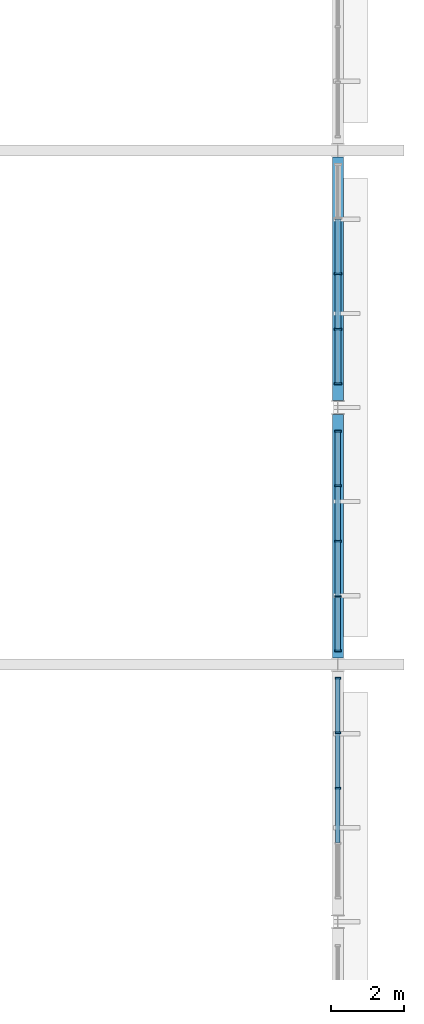
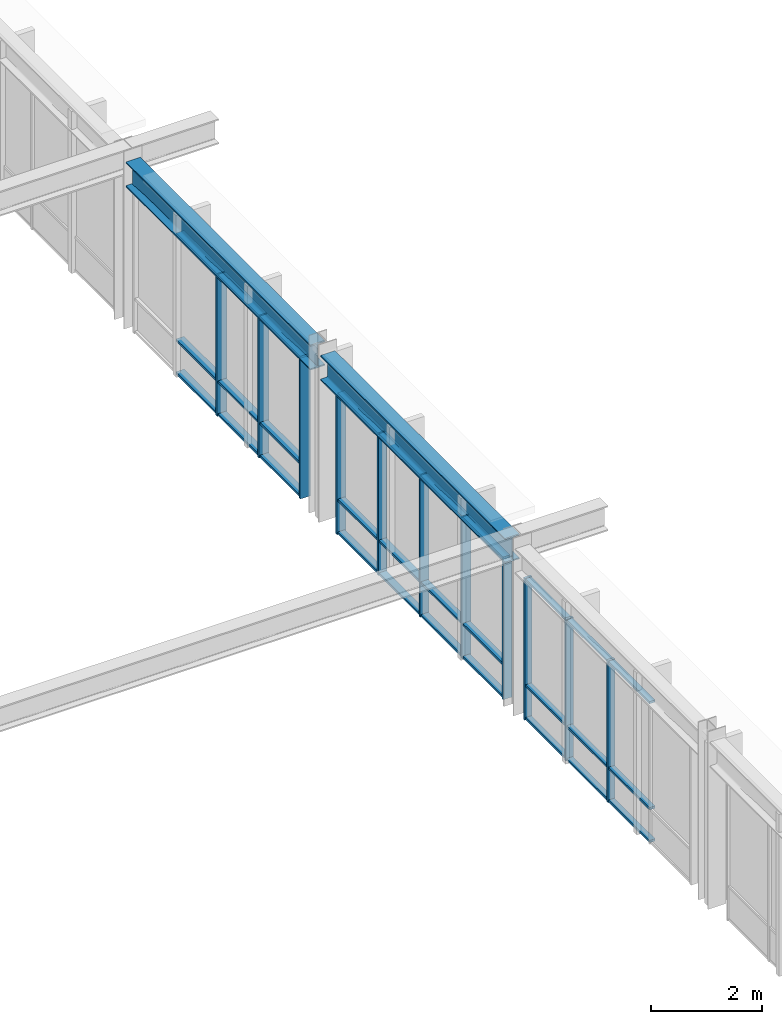
# One storey, part 37 of 98: 41 members, 2 beams, 3 elements without a shape of their own.
"""IFC4 building model written with IfcOpenShell, lengths in metres."""

from ifc_helpers import new_model, si_unit, direction, frame, origin, origin_2d, place, context, subcontext, project, spatial, rectangle, i_section, extrude, material, material_profile, profile_set, type_object, element, aggregate, save


model = new_model("IFC4")

# Units and contexts
model_context = context("Model", 3, precision=1e-05, world=origin(), true_north=direction((0.0, 1.0)))
body_context = subcontext(model_context, "Body", "Model", "MODEL_VIEW")
ifc_project = project(units=[si_unit("LENGTHUNIT", "METRE"), si_unit("AREAUNIT", "SQUARE_METRE"), si_unit("VOLUMEUNIT", "CUBIC_METRE"), si_unit("PLANEANGLEUNIT", "RADIAN"), si_unit("MASSUNIT", "GRAM", prefix="KILO")], contexts=[model_context])

# Site, building, storey
site_placement = place(None, origin())
site = spatial("IfcSite", under=ifc_project, at=site_placement, CompositionType="ELEMENT")
building_placement = place(site_placement, origin())
building = spatial("IfcBuilding", under=site, at=building_placement, Name="Larkveld Mobility Hub", CompositionType="ELEMENT")
storey_placement = place(building_placement, frame((0.0, 0.0, 4.5)))
storey = spatial("IfcBuildingStorey", under=building, at=storey_placement, Name="L01", CompositionType="ELEMENT", Elevation=4.5)

# Beams
ifc_material_1 = material(Name="Steel S355JR", Category="steel")
ifc_material_profile_1 = material_profile(ifc_material_1, i_section(OverallWidth=0.300048828125, OverallDepth=0.550048828125, WebThickness=0.014892578125, FlangeThickness=0.029052734375, FilletRadius=0.027099609375, at=origin_2d()), Name="HEB 550")
ifc_profile_set_1 = profile_set([ifc_material_profile_1], Name="Steel S355JR")
beam_type = type_object("IfcBeamType", Name="BM-STHEB550", PredefinedType="BEAM", material=ifc_profile_set_1)
for number, where, z_axis, x_axis, name in (
    (1, (184.0, 84.18408203125, 3.385009765625), (0.0, 1.0, 0.0), (-1.0, 0.0, 0.0), "Primary N-S Girder L01-0478"),
    (2, (184.0, 91.18408203125, 3.385009765625), (0.0, 1.0, 0.0), (-1.0, 0.0, 0.0), "Primary N-S Girder L01-0479"),
):
    element("IfcBeam", number, at=place(storey_placement, frame(where, z_axis=z_axis, x_axis=x_axis)), inside=storey, type_object=beam_type, Name=name, PredefinedType="BEAM", context=body_context, shape_type="SweptSolid", body=[
        extrude(i_section(OverallWidth=0.300048828125, OverallDepth=0.550048828125, WebThickness=0.014892578125, FlangeThickness=0.029052734375, FilletRadius=0.027099609375, at=origin_2d()), origin(), (0.0, 0.0, 1.0), 6.6318359375),
    ])

# Curtain wall, members
ifc_material_2 = material(Name="Anodised aluminium 6063-T6", Category="aluminium")
curtain_wall_type_1 = type_object("IfcCurtainWallType", Name="CW-SYS-09", PredefinedType="NOTDEFINED", material=ifc_material_2)
curtain_wall_1_placement = place(storey_placement, origin())
curtain_wall_1 = element("IfcCurtainWall", 3, at=curtain_wall_1_placement, inside=storey, type_object=curtain_wall_type_1, Name="Bus Hall Upper East Glazing B4 CW-057", PredefinedType="NOTDEFINED")
ifc_material_profile_2 = material_profile(ifc_material_2, rectangle(XDim=0.050048828125, YDim=0.14990234375, at=origin_2d()), Name="ALU MULL 50x150")
ifc_profile_set_2 = profile_set([ifc_material_profile_2], Name="Anodised aluminium 6063-T6")
member_type_1 = type_object("IfcMemberType", Name="CW-MUL-01", PredefinedType="MULLION", material=ifc_profile_set_2)
member_1_placement = place(storey_placement, frame((184.0, 80.637939453125, -0.001953125), z_axis=(0.0, 0.0, 1.0), x_axis=(0.0, 1.0, 0.0)))
member_1 = element("IfcMember", 4, at=member_1_placement, type_object=member_type_1, Name="CW09 mullion 3", PredefinedType="MULLION", context=body_context, shape_type="SweptSolid", body=[
    extrude(rectangle(XDim=0.050048828125, YDim=0.14990234375, at=origin_2d()), origin(), (0.0, 0.0, 1.0), 3.112060546875),
])
member_2_placement = place(storey_placement, frame((184.0, 82.14404296875, -0.001953125), z_axis=(0.0, 0.0, 1.0), x_axis=(0.0, 1.0, 0.0)))
member_2 = element("IfcMember", 5, at=member_2_placement, type_object=member_type_1, Name="CW09 mullion 4", PredefinedType="MULLION", context=body_context, shape_type="SweptSolid", body=[
    extrude(rectangle(XDim=0.050048828125, YDim=0.14990234375, at=origin_2d()), origin(), (0.0, 0.0, 1.0), 3.112060546875),
])
member_3_placement = place(storey_placement, frame((184.0, 83.625, -0.001953125), z_axis=(0.0, 0.0, 1.0), x_axis=(0.0, 1.0, 0.0)))
member_3 = element("IfcMember", 6, at=member_3_placement, type_object=member_type_1, Name="CW09 mullion 5", PredefinedType="MULLION", context=body_context, shape_type="SweptSolid", body=[
    extrude(rectangle(XDim=0.050048828125, YDim=0.14990234375, at=origin_2d()), origin(), (0.0, 0.0, 1.0), 3.112060546875),
])

curtain_wall_type_2 = type_object("IfcCurtainWallType", Name="CW-SYS-10", PredefinedType="NOTDEFINED", material=ifc_material_2)
curtain_wall_2_placement = place(storey_placement, origin())
curtain_wall_2 = element("IfcCurtainWall", 7, at=curtain_wall_2_placement, inside=storey, type_object=curtain_wall_type_2, Name="Bus Hall Upper East Glazing B5 CW-058", PredefinedType="NOTDEFINED")
ifc_material_profile_3 = material_profile(ifc_material_2, rectangle(XDim=0.050048828125, YDim=0.179931640625, at=origin_2d()), Name="ALU MULL 50x180")
ifc_profile_set_3 = profile_set([ifc_material_profile_3], Name="Anodised aluminium 6063-T6")
member_type_2 = type_object("IfcMemberType", Name="CW-MUL-02", PredefinedType="MULLION", material=ifc_profile_set_3)
member_4_placement = place(storey_placement, frame((184.0, 84.375, -0.001953125), z_axis=(0.0, 0.0, 1.0), x_axis=(0.0, 1.0, 0.0)))
member_4 = element("IfcMember", 8, at=member_4_placement, type_object=member_type_2, Name="CW10 mullion 1", PredefinedType="MULLION", context=body_context, shape_type="SweptSolid", body=[
    extrude(rectangle(XDim=0.050048828125, YDim=0.179931640625, at=origin_2d()), origin(), (0.0, 0.0, 1.0), 3.112060546875),
])
member_5_placement = place(storey_placement, frame((184.0, 85.85595703125, -0.001953125), z_axis=(0.0, 0.0, 1.0), x_axis=(0.0, 1.0, 0.0)))
member_5 = element("IfcMember", 9, at=member_5_placement, type_object=member_type_2, Name="CW10 mullion 2", PredefinedType="MULLION", context=body_context, shape_type="SweptSolid", body=[
    extrude(rectangle(XDim=0.050048828125, YDim=0.179931640625, at=origin_2d()), origin(), (0.0, 0.0, 1.0), 3.112060546875),
])
member_6_placement = place(storey_placement, frame((184.0, 87.362060546875, -0.001953125), z_axis=(0.0, 0.0, 1.0), x_axis=(0.0, 1.0, 0.0)))
member_6 = element("IfcMember", 10, at=member_6_placement, type_object=member_type_2, Name="CW10 mullion 3", PredefinedType="MULLION", context=body_context, shape_type="SweptSolid", body=[
    extrude(rectangle(XDim=0.050048828125, YDim=0.179931640625, at=origin_2d()), origin(), (0.0, 0.0, 1.0), 3.112060546875),
])
member_7_placement = place(storey_placement, frame((184.0, 88.867919921875, -0.001953125), z_axis=(0.0, 0.0, 1.0), x_axis=(0.0, 1.0, 0.0)))
member_7 = element("IfcMember", 11, at=member_7_placement, type_object=member_type_2, Name="CW10 mullion 4", PredefinedType="MULLION", context=body_context, shape_type="SweptSolid", body=[
    extrude(rectangle(XDim=0.050048828125, YDim=0.179931640625, at=origin_2d()), origin(), (0.0, 0.0, 1.0), 3.112060546875),
])
member_8_placement = place(storey_placement, frame((184.0, 90.34912109375, -0.001953125), z_axis=(0.0, 0.0, 1.0), x_axis=(0.0, 1.0, 0.0)))
member_8 = element("IfcMember", 12, at=member_8_placement, type_object=member_type_2, Name="CW10 mullion 5", PredefinedType="MULLION", context=body_context, shape_type="SweptSolid", body=[
    extrude(rectangle(XDim=0.050048828125, YDim=0.179931640625, at=origin_2d()), origin(), (0.0, 0.0, 1.0), 3.112060546875),
])

curtain_wall_type_3 = type_object("IfcCurtainWallType", Name="CW-SYS-11", PredefinedType="NOTDEFINED", material=ifc_material_2)
curtain_wall_3_placement = place(storey_placement, origin())
curtain_wall_3 = element("IfcCurtainWall", 13, at=curtain_wall_3_placement, inside=storey, type_object=curtain_wall_type_3, Name="Bus Hall Upper East Glazing B5 CW-059", PredefinedType="NOTDEFINED")
ifc_material_profile_4 = material_profile(ifc_material_2, rectangle(XDim=0.050048828125, YDim=0.2099609375, at=origin_2d()), Name="ALU MULL 50x210")
ifc_profile_set_4 = profile_set([ifc_material_profile_4], Name="Anodised aluminium 6063-T6")
member_type_3 = type_object("IfcMemberType", Name="CW-MUL-03", PredefinedType="MULLION", material=ifc_profile_set_4)
member_9_placement = place(storey_placement, frame((184.0, 91.65087890625, -0.001953125), z_axis=(0.0, 0.0, 1.0), x_axis=(0.0, 1.0, 0.0)))
member_9 = element("IfcMember", 14, at=member_9_placement, type_object=member_type_3, Name="CW11 mullion 1", PredefinedType="MULLION", context=body_context, shape_type="SweptSolid", body=[
    extrude(rectangle(XDim=0.050048828125, YDim=0.2099609375, at=origin_2d()), origin(), (0.0, 0.0, 1.0), 3.112060546875),
])
member_10_placement = place(storey_placement, frame((184.0, 93.132080078125, -0.001953125), z_axis=(0.0, 0.0, 1.0), x_axis=(0.0, 1.0, 0.0)))
member_10 = element("IfcMember", 15, at=member_10_placement, type_object=member_type_3, Name="CW11 mullion 2", PredefinedType="MULLION", context=body_context, shape_type="SweptSolid", body=[
    extrude(rectangle(XDim=0.050048828125, YDim=0.2099609375, at=origin_2d()), origin(), (0.0, 0.0, 1.0), 3.112060546875),
])
member_11_placement = place(storey_placement, frame((184.0, 94.637939453125, -0.001953125), z_axis=(0.0, 0.0, 1.0), x_axis=(0.0, 1.0, 0.0)))
member_11 = element("IfcMember", 16, at=member_11_placement, type_object=member_type_3, Name="CW11 mullion 3", PredefinedType="MULLION", context=body_context, shape_type="SweptSolid", body=[
    extrude(rectangle(XDim=0.050048828125, YDim=0.2099609375, at=origin_2d()), origin(), (0.0, 0.0, 1.0), 3.112060546875),
])

# Member
ifc_material_profile_5 = material_profile(ifc_material_2, rectangle(XDim=0.1201171875, YDim=0.050048828125, at=origin_2d()), Name="ALU TRAN 50x120")
ifc_profile_set_5 = profile_set([ifc_material_profile_5], Name="Anodised aluminium 6063-T6")
member_type_4 = type_object("IfcMemberType", Name="CW-TRN-01", PredefinedType="USERDEFINED", material=ifc_profile_set_5)
member_12_placement = place(storey_placement, frame((184.0, 79.14697265625, 0.030029296875), z_axis=(0.0, 1.0, 0.0), x_axis=(-1.0, 0.0, 0.0)))
member_12 = element("IfcMember", 17, at=member_12_placement, type_object=member_type_4, Name="CW09 transom 2.1", ObjectType="TRANSOM", PredefinedType="USERDEFINED", context=body_context, shape_type="SweptSolid", body=[
    extrude(rectangle(XDim=0.1201171875, YDim=0.050048828125, at=origin_2d()), origin(), (0.0, 0.0, 1.0), 1.47607421875),
])

member_13_placement = place(storey_placement, frame((184.0, 79.14697265625, 0.75), z_axis=(0.0, 1.0, 0.0), x_axis=(-1.0, 0.0, 0.0)))
member_13 = element("IfcMember", 18, at=member_13_placement, type_object=member_type_4, Name="CW09 transom 2.2", ObjectType="TRANSOM", PredefinedType="USERDEFINED", context=body_context, shape_type="SweptSolid", body=[
    extrude(rectangle(XDim=0.1201171875, YDim=0.050048828125, at=origin_2d()), origin(), (0.0, 0.0, 1.0), 1.47607421875),
])

member_14_placement = place(storey_placement, frame((184.0, 79.14697265625, 3.077880859375), z_axis=(0.0, 1.0, 0.0), x_axis=(-1.0, 0.0, 0.0)))
member_14 = element("IfcMember", 19, at=member_14_placement, type_object=member_type_4, Name="CW09 transom 2.3", ObjectType="TRANSOM", PredefinedType="USERDEFINED", context=body_context, shape_type="SweptSolid", body=[
    extrude(rectangle(XDim=0.1201171875, YDim=0.050048828125, at=origin_2d()), origin(), (0.0, 0.0, 1.0), 1.47607421875),
])

member_15_placement = place(storey_placement, frame((184.0, 80.653076171875, 0.030029296875), z_axis=(0.0, 1.0, 0.0), x_axis=(-1.0, 0.0, 0.0)))
member_15 = element("IfcMember", 20, at=member_15_placement, type_object=member_type_4, Name="CW09 transom 3.1", ObjectType="TRANSOM", PredefinedType="USERDEFINED", context=body_context, shape_type="SweptSolid", body=[
    extrude(rectangle(XDim=0.1201171875, YDim=0.050048828125, at=origin_2d()), origin(), (0.0, 0.0, 1.0), 1.475830078125),
])

member_16_placement = place(storey_placement, frame((184.0, 80.653076171875, 0.75), z_axis=(0.0, 1.0, 0.0), x_axis=(-1.0, 0.0, 0.0)))
member_16 = element("IfcMember", 21, at=member_16_placement, type_object=member_type_4, Name="CW09 transom 3.2", ObjectType="TRANSOM", PredefinedType="USERDEFINED", context=body_context, shape_type="SweptSolid", body=[
    extrude(rectangle(XDim=0.1201171875, YDim=0.050048828125, at=origin_2d()), origin(), (0.0, 0.0, 1.0), 1.475830078125),
])

member_17_placement = place(storey_placement, frame((184.0, 80.653076171875, 3.077880859375), z_axis=(0.0, 1.0, 0.0), x_axis=(-1.0, 0.0, 0.0)))
member_17 = element("IfcMember", 22, at=member_17_placement, type_object=member_type_4, Name="CW09 transom 3.3", ObjectType="TRANSOM", PredefinedType="USERDEFINED", context=body_context, shape_type="SweptSolid", body=[
    extrude(rectangle(XDim=0.1201171875, YDim=0.050048828125, at=origin_2d()), origin(), (0.0, 0.0, 1.0), 1.475830078125),
])

member_18_placement = place(storey_placement, frame((184.0, 82.158935546875, 0.030029296875), z_axis=(0.0, 1.0, 0.0), x_axis=(-1.0, 0.0, 0.0)))
member_18 = element("IfcMember", 23, at=member_18_placement, type_object=member_type_4, Name="CW09 transom 4.1", ObjectType="TRANSOM", PredefinedType="USERDEFINED", context=body_context, shape_type="SweptSolid", body=[
    extrude(rectangle(XDim=0.1201171875, YDim=0.050048828125, at=origin_2d()), origin(), (0.0, 0.0, 1.0), 1.4560546875),
])

member_19_placement = place(storey_placement, frame((184.0, 82.158935546875, 0.75), z_axis=(0.0, 1.0, 0.0), x_axis=(-1.0, 0.0, 0.0)))
member_19 = element("IfcMember", 24, at=member_19_placement, type_object=member_type_4, Name="CW09 transom 4.2", ObjectType="TRANSOM", PredefinedType="USERDEFINED", context=body_context, shape_type="SweptSolid", body=[
    extrude(rectangle(XDim=0.1201171875, YDim=0.050048828125, at=origin_2d()), origin(), (0.0, 0.0, 1.0), 1.4560546875),
])

member_20_placement = place(storey_placement, frame((184.0, 82.158935546875, 3.077880859375), z_axis=(0.0, 1.0, 0.0), x_axis=(-1.0, 0.0, 0.0)))
member_20 = element("IfcMember", 25, at=member_20_placement, type_object=member_type_4, Name="CW09 transom 4.3", ObjectType="TRANSOM", PredefinedType="USERDEFINED", context=body_context, shape_type="SweptSolid", body=[
    extrude(rectangle(XDim=0.1201171875, YDim=0.050048828125, at=origin_2d()), origin(), (0.0, 0.0, 1.0), 1.4560546875),
])

aggregate(curtain_wall_1, [member_1, member_2, member_3, member_12, member_13, member_14, member_15, member_16, member_17, member_18, member_19, member_20])

ifc_material_profile_6 = material_profile(ifc_material_2, rectangle(XDim=0.14990234375, YDim=0.050048828125, at=origin_2d()), Name="ALU TRAN 50x150")
ifc_profile_set_6 = profile_set([ifc_material_profile_6], Name="Anodised aluminium 6063-T6")
member_type_5 = type_object("IfcMemberType", Name="CW-TRN-02", PredefinedType="USERDEFINED", material=ifc_profile_set_6)
member_21_placement = place(storey_placement, frame((184.0, 84.385009765625, 0.030029296875), z_axis=(0.0, 1.0, 0.0), x_axis=(-1.0, 0.0, 0.0)))
member_21 = element("IfcMember", 26, at=member_21_placement, type_object=member_type_5, Name="CW10 transom 1.1", ObjectType="TRANSOM", PredefinedType="USERDEFINED", context=body_context, shape_type="SweptSolid", body=[
    extrude(rectangle(XDim=0.14990234375, YDim=0.050048828125, at=origin_2d()), origin(), (0.0, 0.0, 1.0), 1.4560546875),
])

member_22_placement = place(storey_placement, frame((184.0, 84.385009765625, 0.75), z_axis=(0.0, 1.0, 0.0), x_axis=(-1.0, 0.0, 0.0)))
member_22 = element("IfcMember", 27, at=member_22_placement, type_object=member_type_5, Name="CW10 transom 1.2", ObjectType="TRANSOM", PredefinedType="USERDEFINED", context=body_context, shape_type="SweptSolid", body=[
    extrude(rectangle(XDim=0.14990234375, YDim=0.050048828125, at=origin_2d()), origin(), (0.0, 0.0, 1.0), 1.4560546875),
])

member_23_placement = place(storey_placement, frame((184.0, 84.385009765625, 3.077880859375), z_axis=(0.0, 1.0, 0.0), x_axis=(-1.0, 0.0, 0.0)))
member_23 = element("IfcMember", 28, at=member_23_placement, type_object=member_type_5, Name="CW10 transom 1.3", ObjectType="TRANSOM", PredefinedType="USERDEFINED", context=body_context, shape_type="SweptSolid", body=[
    extrude(rectangle(XDim=0.14990234375, YDim=0.050048828125, at=origin_2d()), origin(), (0.0, 0.0, 1.0), 1.4560546875),
])

member_24_placement = place(storey_placement, frame((184.0, 85.87109375, 0.030029296875), z_axis=(0.0, 1.0, 0.0), x_axis=(-1.0, 0.0, 0.0)))
member_24 = element("IfcMember", 29, at=member_24_placement, type_object=member_type_5, Name="CW10 transom 2.1", ObjectType="TRANSOM", PredefinedType="USERDEFINED", context=body_context, shape_type="SweptSolid", body=[
    extrude(rectangle(XDim=0.14990234375, YDim=0.050048828125, at=origin_2d()), origin(), (0.0, 0.0, 1.0), 1.475830078125),
])

member_25_placement = place(storey_placement, frame((184.0, 85.87109375, 0.75), z_axis=(0.0, 1.0, 0.0), x_axis=(-1.0, 0.0, 0.0)))
member_25 = element("IfcMember", 30, at=member_25_placement, type_object=member_type_5, Name="CW10 transom 2.2", ObjectType="TRANSOM", PredefinedType="USERDEFINED", context=body_context, shape_type="SweptSolid", body=[
    extrude(rectangle(XDim=0.14990234375, YDim=0.050048828125, at=origin_2d()), origin(), (0.0, 0.0, 1.0), 1.475830078125),
])

member_26_placement = place(storey_placement, frame((184.0, 85.87109375, 3.077880859375), z_axis=(0.0, 1.0, 0.0), x_axis=(-1.0, 0.0, 0.0)))
member_26 = element("IfcMember", 31, at=member_26_placement, type_object=member_type_5, Name="CW10 transom 2.3", ObjectType="TRANSOM", PredefinedType="USERDEFINED", context=body_context, shape_type="SweptSolid", body=[
    extrude(rectangle(XDim=0.14990234375, YDim=0.050048828125, at=origin_2d()), origin(), (0.0, 0.0, 1.0), 1.475830078125),
])

member_27_placement = place(storey_placement, frame((184.0, 87.376953125, 0.030029296875), z_axis=(0.0, 1.0, 0.0), x_axis=(-1.0, 0.0, 0.0)))
member_27 = element("IfcMember", 32, at=member_27_placement, type_object=member_type_5, Name="CW10 transom 3.1", ObjectType="TRANSOM", PredefinedType="USERDEFINED", context=body_context, shape_type="SweptSolid", body=[
    extrude(rectangle(XDim=0.14990234375, YDim=0.050048828125, at=origin_2d()), origin(), (0.0, 0.0, 1.0), 1.47607421875),
])

member_28_placement = place(storey_placement, frame((184.0, 87.376953125, 0.75), z_axis=(0.0, 1.0, 0.0), x_axis=(-1.0, 0.0, 0.0)))
member_28 = element("IfcMember", 33, at=member_28_placement, type_object=member_type_5, Name="CW10 transom 3.2", ObjectType="TRANSOM", PredefinedType="USERDEFINED", context=body_context, shape_type="SweptSolid", body=[
    extrude(rectangle(XDim=0.14990234375, YDim=0.050048828125, at=origin_2d()), origin(), (0.0, 0.0, 1.0), 1.47607421875),
])

member_29_placement = place(storey_placement, frame((184.0, 87.376953125, 3.077880859375), z_axis=(0.0, 1.0, 0.0), x_axis=(-1.0, 0.0, 0.0)))
member_29 = element("IfcMember", 34, at=member_29_placement, type_object=member_type_5, Name="CW10 transom 3.3", ObjectType="TRANSOM", PredefinedType="USERDEFINED", context=body_context, shape_type="SweptSolid", body=[
    extrude(rectangle(XDim=0.14990234375, YDim=0.050048828125, at=origin_2d()), origin(), (0.0, 0.0, 1.0), 1.47607421875),
])

member_30_placement = place(storey_placement, frame((184.0, 88.883056640625, 0.030029296875), z_axis=(0.0, 1.0, 0.0), x_axis=(-1.0, 0.0, 0.0)))
member_30 = element("IfcMember", 35, at=member_30_placement, type_object=member_type_5, Name="CW10 transom 4.1", ObjectType="TRANSOM", PredefinedType="USERDEFINED", context=body_context, shape_type="SweptSolid", body=[
    extrude(rectangle(XDim=0.14990234375, YDim=0.050048828125, at=origin_2d()), origin(), (0.0, 0.0, 1.0), 1.4560546875),
])

member_31_placement = place(storey_placement, frame((184.0, 88.883056640625, 0.75), z_axis=(0.0, 1.0, 0.0), x_axis=(-1.0, 0.0, 0.0)))
member_31 = element("IfcMember", 36, at=member_31_placement, type_object=member_type_5, Name="CW10 transom 4.2", ObjectType="TRANSOM", PredefinedType="USERDEFINED", context=body_context, shape_type="SweptSolid", body=[
    extrude(rectangle(XDim=0.14990234375, YDim=0.050048828125, at=origin_2d()), origin(), (0.0, 0.0, 1.0), 1.4560546875),
])

member_32_placement = place(storey_placement, frame((184.0, 88.883056640625, 3.077880859375), z_axis=(0.0, 1.0, 0.0), x_axis=(-1.0, 0.0, 0.0)))
member_32 = element("IfcMember", 37, at=member_32_placement, type_object=member_type_5, Name="CW10 transom 4.3", ObjectType="TRANSOM", PredefinedType="USERDEFINED", context=body_context, shape_type="SweptSolid", body=[
    extrude(rectangle(XDim=0.14990234375, YDim=0.050048828125, at=origin_2d()), origin(), (0.0, 0.0, 1.0), 1.4560546875),
])

aggregate(curtain_wall_2, [member_4, member_5, member_6, member_7, member_8, member_21, member_22, member_23, member_24, member_25, member_26, member_27, member_28, member_29, member_30, member_31, member_32])

ifc_material_profile_7 = material_profile(ifc_material_2, rectangle(XDim=0.169921875, YDim=0.050048828125, at=origin_2d()), Name="ALU TRAN 50x170")
ifc_profile_set_7 = profile_set([ifc_material_profile_7], Name="Anodised aluminium 6063-T6")
member_type_6 = type_object("IfcMemberType", Name="CW-TRN-03", PredefinedType="USERDEFINED", material=ifc_profile_set_7)
member_33_placement = place(storey_placement, frame((184.0, 91.660888671875, 0.030029296875), z_axis=(0.0, 1.0, 0.0), x_axis=(-1.0, 0.0, 0.0)))
member_33 = element("IfcMember", 38, at=member_33_placement, type_object=member_type_6, Name="CW11 transom 1.1", ObjectType="TRANSOM", PredefinedType="USERDEFINED", context=body_context, shape_type="SweptSolid", body=[
    extrude(rectangle(XDim=0.169921875, YDim=0.050048828125, at=origin_2d()), origin(), (0.0, 0.0, 1.0), 1.4560546875),
])

member_34_placement = place(storey_placement, frame((184.0, 91.660888671875, 0.75), z_axis=(0.0, 1.0, 0.0), x_axis=(-1.0, 0.0, 0.0)))
member_34 = element("IfcMember", 39, at=member_34_placement, type_object=member_type_6, Name="CW11 transom 1.2", ObjectType="TRANSOM", PredefinedType="USERDEFINED", context=body_context, shape_type="SweptSolid", body=[
    extrude(rectangle(XDim=0.169921875, YDim=0.050048828125, at=origin_2d()), origin(), (0.0, 0.0, 1.0), 1.4560546875),
])

member_35_placement = place(storey_placement, frame((184.0, 91.660888671875, 3.077880859375), z_axis=(0.0, 1.0, 0.0), x_axis=(-1.0, 0.0, 0.0)))
member_35 = element("IfcMember", 40, at=member_35_placement, type_object=member_type_6, Name="CW11 transom 1.3", ObjectType="TRANSOM", PredefinedType="USERDEFINED", context=body_context, shape_type="SweptSolid", body=[
    extrude(rectangle(XDim=0.169921875, YDim=0.050048828125, at=origin_2d()), origin(), (0.0, 0.0, 1.0), 1.4560546875),
])

member_36_placement = place(storey_placement, frame((184.0, 93.14697265625, 0.030029296875), z_axis=(0.0, 1.0, 0.0), x_axis=(-1.0, 0.0, 0.0)))
member_36 = element("IfcMember", 41, at=member_36_placement, type_object=member_type_6, Name="CW11 transom 2.1", ObjectType="TRANSOM", PredefinedType="USERDEFINED", context=body_context, shape_type="SweptSolid", body=[
    extrude(rectangle(XDim=0.169921875, YDim=0.050048828125, at=origin_2d()), origin(), (0.0, 0.0, 1.0), 1.47607421875),
])

member_37_placement = place(storey_placement, frame((184.0, 93.14697265625, 0.75), z_axis=(0.0, 1.0, 0.0), x_axis=(-1.0, 0.0, 0.0)))
member_37 = element("IfcMember", 42, at=member_37_placement, type_object=member_type_6, Name="CW11 transom 2.2", ObjectType="TRANSOM", PredefinedType="USERDEFINED", context=body_context, shape_type="SweptSolid", body=[
    extrude(rectangle(XDim=0.169921875, YDim=0.050048828125, at=origin_2d()), origin(), (0.0, 0.0, 1.0), 1.47607421875),
])

member_38_placement = place(storey_placement, frame((184.0, 93.14697265625, 3.077880859375), z_axis=(0.0, 1.0, 0.0), x_axis=(-1.0, 0.0, 0.0)))
member_38 = element("IfcMember", 43, at=member_38_placement, type_object=member_type_6, Name="CW11 transom 2.3", ObjectType="TRANSOM", PredefinedType="USERDEFINED", context=body_context, shape_type="SweptSolid", body=[
    extrude(rectangle(XDim=0.169921875, YDim=0.050048828125, at=origin_2d()), origin(), (0.0, 0.0, 1.0), 1.47607421875),
])

member_39_placement = place(storey_placement, frame((184.0, 94.653076171875, 0.030029296875), z_axis=(0.0, 1.0, 0.0), x_axis=(-1.0, 0.0, 0.0)))
member_39 = element("IfcMember", 44, at=member_39_placement, type_object=member_type_6, Name="CW11 transom 3.1", ObjectType="TRANSOM", PredefinedType="USERDEFINED", context=body_context, shape_type="SweptSolid", body=[
    extrude(rectangle(XDim=0.169921875, YDim=0.050048828125, at=origin_2d()), origin(), (0.0, 0.0, 1.0), 1.475830078125),
])

member_40_placement = place(storey_placement, frame((184.0, 94.653076171875, 0.75), z_axis=(0.0, 1.0, 0.0), x_axis=(-1.0, 0.0, 0.0)))
member_40 = element("IfcMember", 45, at=member_40_placement, type_object=member_type_6, Name="CW11 transom 3.2", ObjectType="TRANSOM", PredefinedType="USERDEFINED", context=body_context, shape_type="SweptSolid", body=[
    extrude(rectangle(XDim=0.169921875, YDim=0.050048828125, at=origin_2d()), origin(), (0.0, 0.0, 1.0), 1.475830078125),
])

member_41_placement = place(storey_placement, frame((184.0, 94.653076171875, 3.077880859375), z_axis=(0.0, 1.0, 0.0), x_axis=(-1.0, 0.0, 0.0)))
member_41 = element("IfcMember", 46, at=member_41_placement, type_object=member_type_6, Name="CW11 transom 3.3", ObjectType="TRANSOM", PredefinedType="USERDEFINED", context=body_context, shape_type="SweptSolid", body=[
    extrude(rectangle(XDim=0.169921875, YDim=0.050048828125, at=origin_2d()), origin(), (0.0, 0.0, 1.0), 1.475830078125),
])

aggregate(curtain_wall_3, [member_9, member_10, member_11, member_33, member_34, member_35, member_36, member_37, member_38, member_39, member_40, member_41])

save(model, "model.ifc")
